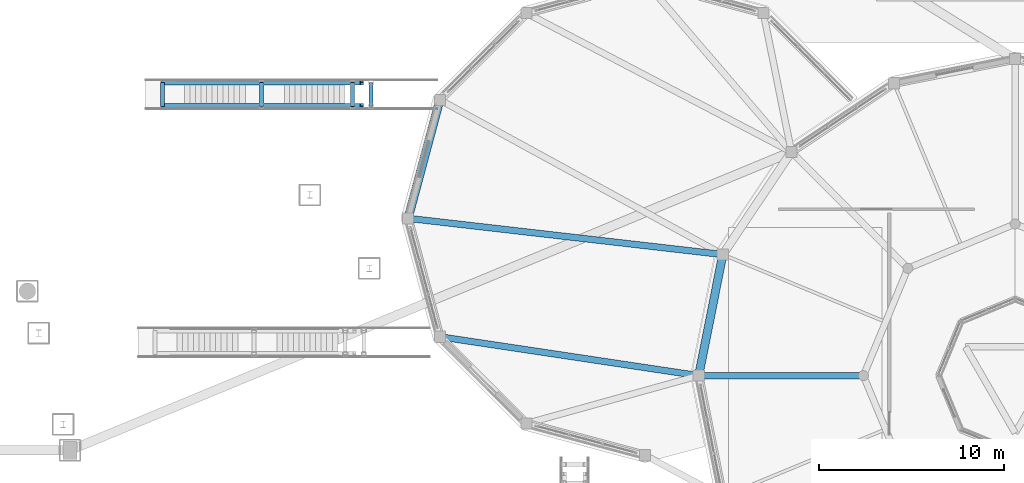
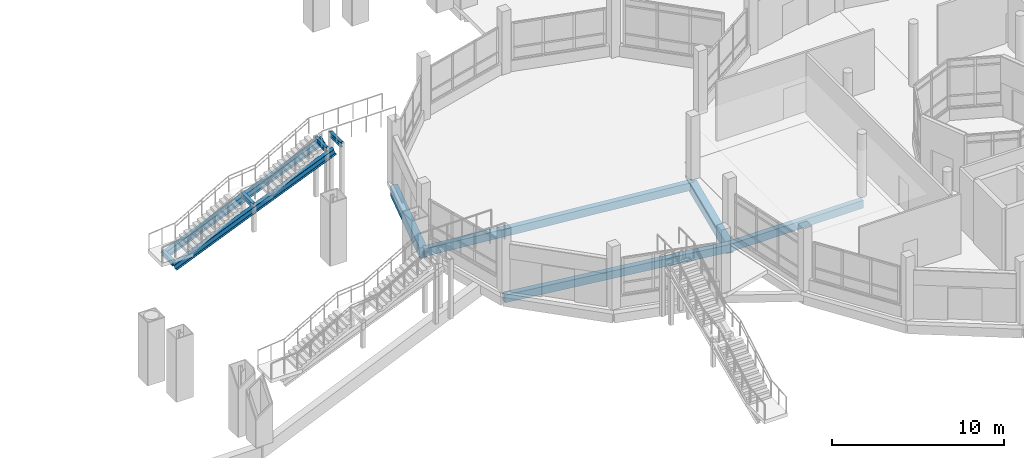
# One storey, part 39 of 129: 13 beams.
"""IFC4 building model written with IfcOpenShell, lengths in metres."""

from ifc_helpers import new_model, si_unit, direction, frame, origin, origin_2d, place, context, subcontext, project, spatial, rectangle, i_section, extrude, material, material_profile, profile_set, type_object, element, save


model = new_model("IFC4")

# Units and contexts
model_context = context("Model", 3, precision=1e-05, world=origin(), true_north=direction((0.0, 1.0)))
body_context = subcontext(model_context, "Body", "Model", "MODEL_VIEW")
ifc_project = project(units=[si_unit("LENGTHUNIT", "METRE"), si_unit("AREAUNIT", "SQUARE_METRE"), si_unit("VOLUMEUNIT", "CUBIC_METRE"), si_unit("PLANEANGLEUNIT", "RADIAN"), si_unit("MASSUNIT", "GRAM", prefix="KILO")], contexts=[model_context])

# Site, building, storey
site_placement = place(None, origin())
site = spatial("IfcSite", under=ifc_project, at=site_placement, CompositionType="ELEMENT")
building_placement = place(site_placement, origin())
building = spatial("IfcBuilding", under=site, at=building_placement, Name="Vespera Passage Community Centre", CompositionType="ELEMENT")
storey_placement = place(building_placement, origin())
storey = spatial("IfcBuildingStorey", under=building, at=storey_placement, Name="L00", CompositionType="ELEMENT", Elevation=0.0)

# Beams
ifc_material_1 = material(Name="Concrete f'c 35 MPa", Category="concrete")
ifc_material_profile_1 = material_profile(ifc_material_1, rectangle(XDim=0.35009765625, YDim=0.550048828125, at=origin_2d()), Name="RC350X550")
ifc_profile_set_1 = profile_set([ifc_material_profile_1], Name="Concrete f'c 35 MPa")
beam_type_1 = type_object("IfcBeamType", Name="BM-J-350X550", PredefinedType="JOIST", material=ifc_profile_set_1)
beam_1_placement = place(storey_placement, frame((132.800048828125, 25.0, -0.554931640625), z_axis=(-1.0, 0.0, 0.0), x_axis=(0.0, -1.0, 0.0)))
element("IfcBeam", 1, at=beam_1_placement, inside=storey, type_object=beam_type_1, Name="V3 L00 Radial Girder 5", PredefinedType="JOIST", context=body_context, shape_type="SweptSolid", body=[
    extrude(rectangle(XDim=0.35009765625, YDim=0.550048828125, at=origin_2d()), origin(), (0.0, 0.0, 1.0), 8.900146484375),
])
beam_2_placement = place(storey_placement, frame((108.199951171875, 33.5, -0.554931640625), z_axis=(0.993446680665, -0.114296512091, 0.0), x_axis=(0.114296512091, 0.993446680665, 0.0)))
element("IfcBeam", 2, at=beam_2_placement, inside=storey, type_object=beam_type_1, Name="V3A L00 Radial Tie Girder 5", PredefinedType="JOIST", context=body_context, shape_type="SweptSolid", body=[
    extrude(rectangle(XDim=0.35009765625, YDim=0.550048828125, at=origin_2d()), origin(), (0.0, 0.0, 1.0), 17.11376953125),
])
beam_3_placement = place(storey_placement, frame((109.914794921875, 27.10009765625, -0.554931640625), z_axis=(0.988912153767, -0.148501690671, 0.0), x_axis=(0.148501690671, 0.988912153767, 0.0)))
element("IfcBeam", 3, at=beam_3_placement, inside=storey, type_object=beam_type_1, Name="V3A L00 Radial Tie Girder 6", PredefinedType="JOIST", context=body_context, shape_type="SweptSolid", body=[
    extrude(rectangle(XDim=0.35009765625, YDim=0.550048828125, at=origin_2d()), origin(), (0.0, 0.0, 1.0), 14.141845703125),
])
ifc_material_2 = material(Name="Steel ASTM A992 Grade 50", Category="steel")
ifc_material_profile_2 = material_profile(ifc_material_2, i_section(OverallWidth=0.280517578125, OverallDepth=0.46240234375, WebThickness=0.0107421875, FlangeThickness=0.017333984375, FilletRadius=0.01025390625, at=origin_2d()), Name="W18X76")
ifc_profile_set_2 = profile_set([ifc_material_profile_2], Name="Steel ASTM A992 Grade 50")
beam_type_2 = type_object("IfcBeamType", Name="BM-RB-W18X76E", PredefinedType="SPANDREL", material=ifc_profile_set_2)
beam_4_placement = place(storey_placement, frame((94.925048828125, 39.554931640625, -0.679931640625), z_axis=(0.92179366475, 0.0, 0.38768084764), x_axis=(0.0, 1.0, 0.0)))
element("IfcBeam", 4, at=beam_4_placement, inside=storey, type_object=beam_type_2, Name="ST-CRT-02 Stringer 1.1", PredefinedType="SPANDREL", context=body_context, shape_type="SweptSolid", body=[
    extrude(i_section(OverallWidth=0.280517578125, OverallDepth=0.46240234375, WebThickness=0.0107421875, FlangeThickness=0.017333984375, FilletRadius=0.01025390625, at=origin_2d()), origin(), (0.0, 0.0, 1.0), 5.8037109375),
])
beam_5_placement = place(storey_placement, frame((100.27490234375, 39.554931640625, 1.570068359375), z_axis=(0.923706596521, 0.0, 0.383100670246), x_axis=(0.0, 1.0, 0.0)))
element("IfcBeam", 5, at=beam_5_placement, inside=storey, type_object=beam_type_2, Name="ST-CRT-02 Stringer 1.2", PredefinedType="SPANDREL", context=body_context, shape_type="SweptSolid", body=[
    extrude(i_section(OverallWidth=0.280517578125, OverallDepth=0.46240234375, WebThickness=0.0107421875, FlangeThickness=0.017333984375, FilletRadius=0.01025390625, at=origin_2d()), origin(), (0.0, 0.0, 1.0), 5.873046875),
])
beam_6_placement = place(storey_placement, frame((94.925048828125, 40.844970703125, -0.679931640625), z_axis=(0.92179366475, 0.0, 0.38768084764), x_axis=(0.0, 1.0, 0.0)))
element("IfcBeam", 6, at=beam_6_placement, inside=storey, type_object=beam_type_2, Name="ST-CRT-02 Stringer 2.1", PredefinedType="SPANDREL", context=body_context, shape_type="SweptSolid", body=[
    extrude(i_section(OverallWidth=0.280517578125, OverallDepth=0.46240234375, WebThickness=0.0107421875, FlangeThickness=0.017333984375, FilletRadius=0.01025390625, at=origin_2d()), origin(), (0.0, 0.0, 1.0), 5.8037109375),
])
beam_7_placement = place(storey_placement, frame((100.27490234375, 40.844970703125, 1.570068359375), z_axis=(0.923706596521, 0.0, 0.383100670246), x_axis=(0.0, 1.0, 0.0)))
element("IfcBeam", 7, at=beam_7_placement, inside=storey, type_object=beam_type_2, Name="ST-CRT-02 Stringer 2.2", PredefinedType="SPANDREL", context=body_context, shape_type="SweptSolid", body=[
    extrude(i_section(OverallWidth=0.280517578125, OverallDepth=0.46240234375, WebThickness=0.0107421875, FlangeThickness=0.017333984375, FilletRadius=0.01025390625, at=origin_2d()), origin(), (0.0, 0.0, 1.0), 5.873046875),
])
ifc_material_3 = material(Name="Concrete f'c 35 MPa", Category="concrete")
ifc_material_profile_3 = material_profile(ifc_material_3, rectangle(XDim=0.449951171875, YDim=0.75, at=origin_2d()), Name="RC450X750")
ifc_profile_set_3 = profile_set([ifc_material_profile_3], Name="Concrete f'c 35 MPa")
beam_type_3 = type_object("IfcBeamType", Name="BM-SP-450X750E", PredefinedType="SPANDREL", material=ifc_profile_set_3)
beam_8_placement = place(storey_placement, frame((125.20166015625, 31.5439453125, -0.655029296875), z_axis=(-0.195102743632, -0.980782809509, 0.0), x_axis=(0.980782809509, -0.195102743632, 0.0)))
element("IfcBeam", 8, at=beam_8_placement, inside=storey, type_object=beam_type_3, Name="V3 L00 Spandrel 8", PredefinedType="SPANDREL", context=body_context, shape_type="SweptSolid", body=[
    extrude(rectangle(XDim=0.449951171875, YDim=0.75, at=origin_2d()), origin(), (0.0, 0.0, 1.0), 6.672119140625),
])
beam_9_placement = place(storey_placement, frame((109.914794921875, 39.89990234375, -0.655029296875), z_axis=(-0.258818353032, -0.965926011729, 0.0), x_axis=(0.965926011729, -0.258818353032, 0.0)))
element("IfcBeam", 9, at=beam_9_placement, inside=storey, type_object=beam_type_3, Name="V3A L00 Cafe Spandrel 4", PredefinedType="SPANDREL", context=body_context, shape_type="SweptSolid", body=[
    extrude(rectangle(XDim=0.449951171875, YDim=0.75, at=origin_2d()), origin(), (0.0, 0.0, 1.0), 6.625732421875),
])
ifc_material_4 = material(Name="Steel ASTM A992 Grade 50", Category="steel")
ifc_material_profile_4 = material_profile(ifc_material_4, i_section(OverallWidth=0.2041015625, OverallDepth=0.3505859375, WebThickness=0.008544921875, FlangeThickness=0.01513671875, FilletRadius=0.01513671875, at=origin_2d()), Name="W14X48")
ifc_profile_set_4 = profile_set([ifc_material_profile_4], Name="Steel ASTM A992 Grade 50")
beam_type_4 = type_object("IfcBeamType", Name="BM-STR-W14X48E", PredefinedType="BEAM", material=ifc_profile_set_4)
for number, where, z_axis, x_axis, name in (
    (10, (94.925048828125, 39.554931640625, -0.43505859375), (0.0, 1.0, 0.0), (-1.0, 0.0, 0.0), "ST-CRT-02 B Header"),
    (11, (100.27490234375, 39.554931640625, 1.81494140625), (0.0, 1.0, 0.0), (-1.0, 0.0, 0.0), "ST-CRT-02 M Header"),
    (12, (105.199951171875, 39.554931640625, 4.06494140625), (0.0, 1.0, 0.0), (-1.0, 0.0, 0.0), "ST-CRT-02 T Header"),
    (13, (106.199951171875, 39.554931640625, 4.06494140625), (0.0, 1.0, 0.0), (-1.0, 0.0, 0.0), "ST-CRT-02 TF Header"),
):
    element("IfcBeam", number, at=place(storey_placement, frame(where, z_axis=z_axis, x_axis=x_axis)), inside=storey, type_object=beam_type_4, Name=name, PredefinedType="BEAM", context=body_context, shape_type="SweptSolid", body=[
        extrude(i_section(OverallWidth=0.2041015625, OverallDepth=0.3505859375, WebThickness=0.008544921875, FlangeThickness=0.01513671875, FilletRadius=0.01513671875, at=origin_2d()), origin(), (0.0, 0.0, 1.0), 1.2900390625),
    ])

save(model, "model.ifc")
